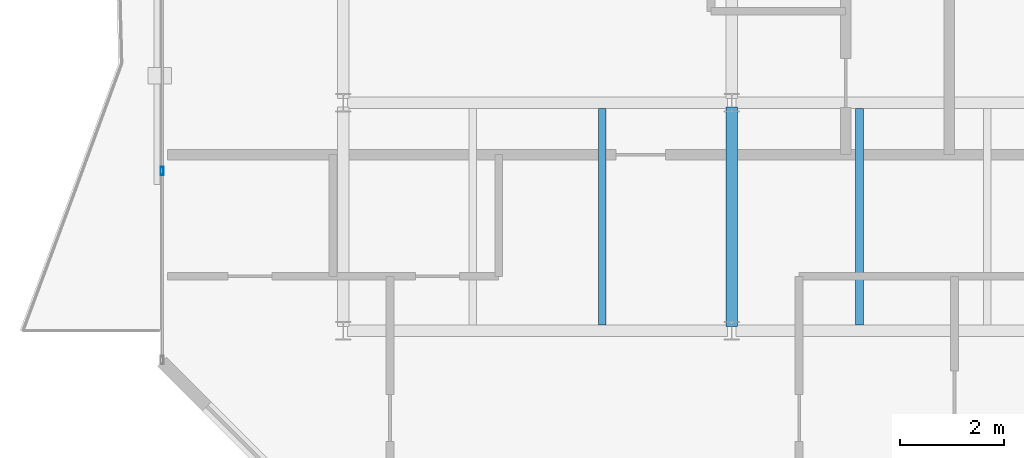
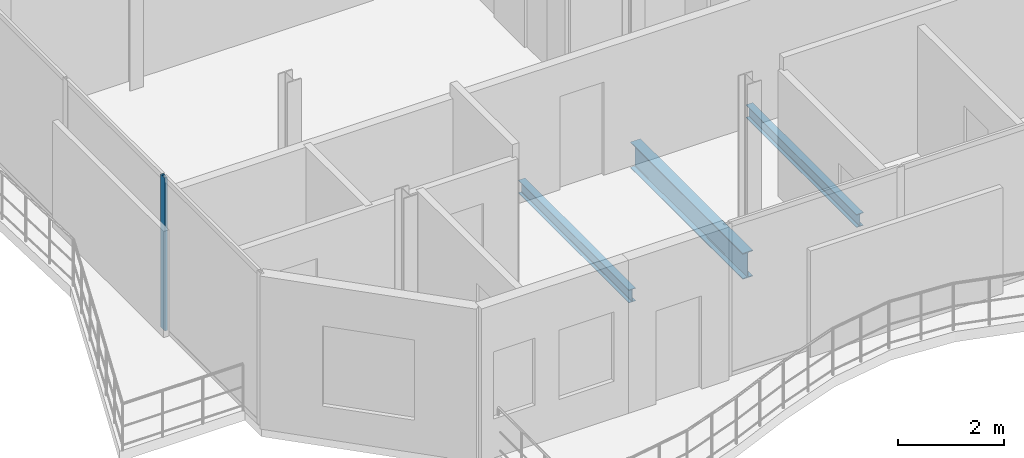
# One storey, part 5 of 22: 3 beams, 1 member, 1 element without a shape of its own.
"""IFC4 building model written with IfcOpenShell, lengths in metres."""

from ifc_helpers import new_model, si_unit, direction, frame, origin, origin_2d, place, context, subcontext, project, spatial, hollow_rectangle, i_section, extrude, material, layer, layer_set, material_profile, profile_set, type_object, element, aggregate, save


model = new_model("IFC4")

# Units and contexts
model_context = context("Model", 3, precision=1e-05, world=origin(), true_north=direction((0.0, 1.0)))
body_context = subcontext(model_context, "Body", "Model", "MODEL_VIEW")
ifc_project = project(units=[si_unit("LENGTHUNIT", "METRE"), si_unit("AREAUNIT", "SQUARE_METRE"), si_unit("VOLUMEUNIT", "CUBIC_METRE"), si_unit("PLANEANGLEUNIT", "RADIAN"), si_unit("MASSUNIT", "GRAM", prefix="KILO")], contexts=[model_context])

# Site, building, storey
site_placement = place(None, origin())
site = spatial("IfcSite", under=ifc_project, at=site_placement, CompositionType="ELEMENT")
building_placement = place(site_placement, origin())
building = spatial("IfcBuilding", under=site, at=building_placement, Name="Catumbela Crestline Tower", CompositionType="ELEMENT")
storey_placement = place(building_placement, frame((0.0, 0.0, 233.6)))
storey = spatial("IfcBuildingStorey", under=building, at=storey_placement, Name="L60", CompositionType="ELEMENT", Elevation=233.6)

# Beams
ifc_material_1 = material(Name="Structural steel S355J2", Category="steel")
ifc_material_profile_1 = material_profile(ifc_material_1, i_section(OverallWidth=0.22, OverallDepth=0.6, WebThickness=0.012, FlangeThickness=0.019, FilletRadius=0.024, at=origin_2d()), Name="IPE 600")
ifc_profile_set_1 = profile_set([ifc_material_profile_1], Name="Structural steel S355J2")
beam_type_1 = type_object("IfcBeamType", Name="BG-IPE600", PredefinedType="BEAM", material=ifc_profile_set_1)
beam_placement = place(storey_placement, frame((16.0, 13.68, -0.56), z_axis=(0.0, 1.0, 0.0), x_axis=(-1.0, 0.0, 0.0)))
element("IfcBeam", 1, at=beam_placement, inside=storey, type_object=beam_type_1, Name="L60 Beam BM-L60-WNS33", PredefinedType="BEAM", context=body_context, shape_type="SweptSolid", body=[
    extrude(i_section(OverallWidth=0.22, OverallDepth=0.6, WebThickness=0.012, FlangeThickness=0.019, FilletRadius=0.024, at=origin_2d()), origin(), (0.0, 0.0, 1.0), 4.24),
])
ifc_material_profile_2 = material_profile(ifc_material_1, i_section(OverallWidth=0.15, OverallDepth=0.3, WebThickness=0.0071, FlangeThickness=0.0107, FilletRadius=0.015, at=origin_2d()), Name="IPE 300")
ifc_profile_set_2 = profile_set([ifc_material_profile_2], Name="Structural steel S355J2")
beam_type_2 = type_object("IfcBeamType", Name="BJ-IPE300", PredefinedType="JOIST", material=ifc_profile_set_2)
for number, where, z_axis, x_axis, name in (
    (2, (13.5, 13.71, -0.41), (0.0, 1.0, 0.0), (-1.0, 0.0, 0.0), "L60 Joist JS-L60-WG37"),
    (3, (18.467, 13.71, -0.41), (0.0, 1.0, 0.0), (-1.0, 0.0, 0.0), "L60 Joist JS-L60-WG38"),
):
    element("IfcBeam", number, at=place(storey_placement, frame(where, z_axis=z_axis, x_axis=x_axis)), inside=storey, type_object=beam_type_2, Name=name, PredefinedType="JOIST", context=body_context, shape_type="SweptSolid", body=[
        extrude(i_section(OverallWidth=0.15, OverallDepth=0.3, WebThickness=0.0071, FlangeThickness=0.0107, FilletRadius=0.015, at=origin_2d()), origin(), (0.0, 0.0, 1.0), 4.18),
    ])

# Curtain wall, member
ifc_material_2 = material(Name="Aluminium alloy AW-6060-T66", Category="aluminium")
ifc_layer = layer(ifc_material_2, 0.18, Name="Aluminium alloy AW-6060-T66")
ifc_layer_set = layer_set([ifc_layer], Name="Aluminium alloy AW-6060-T66")
curtain_wall_type = type_object("IfcCurtainWallType", Name="CWU-Z4", PredefinedType="USERDEFINED", material=ifc_layer_set)
curtain_wall_placement = place(storey_placement, origin())
curtain_wall = element("IfcCurtainWall", 4, at=curtain_wall_placement, inside=storey, type_object=curtain_wall_type, Name="L60 Unitised Curtain Wall CW-L60-E9S2", ObjectType="UNITISED", PredefinedType="USERDEFINED")
ifc_material_profile_3 = material_profile(ifc_material_2, hollow_rectangle(XDim=0.06, YDim=0.16, WallThickness=0.004, at=origin_2d()), Name="ALU 160x60x4")
ifc_profile_set_3 = profile_set([ifc_material_profile_3], Name="Aluminium alloy AW-6060-T66")
member_type = type_object("IfcMemberType", Name="MUL-160X60", PredefinedType="MULLION", material=ifc_profile_set_3)
member_placement = place(storey_placement, frame((5.0, 16.6833, 0.0), z_axis=(0.0, 0.0, 1.0), x_axis=(1.0, 0.0, 0.0)))
member = element("IfcMember", 5, at=member_placement, type_object=member_type, Name="CWU-Z4 mullion 6", PredefinedType="MULLION", context=body_context, shape_type="SweptSolid", body=[
    extrude(hollow_rectangle(XDim=0.06, YDim=0.16, WallThickness=0.004, at=origin_2d()), origin(), (0.0, 0.0, 1.0), 3.53),
])
aggregate(curtain_wall, [member])

save(model, "model.ifc")
